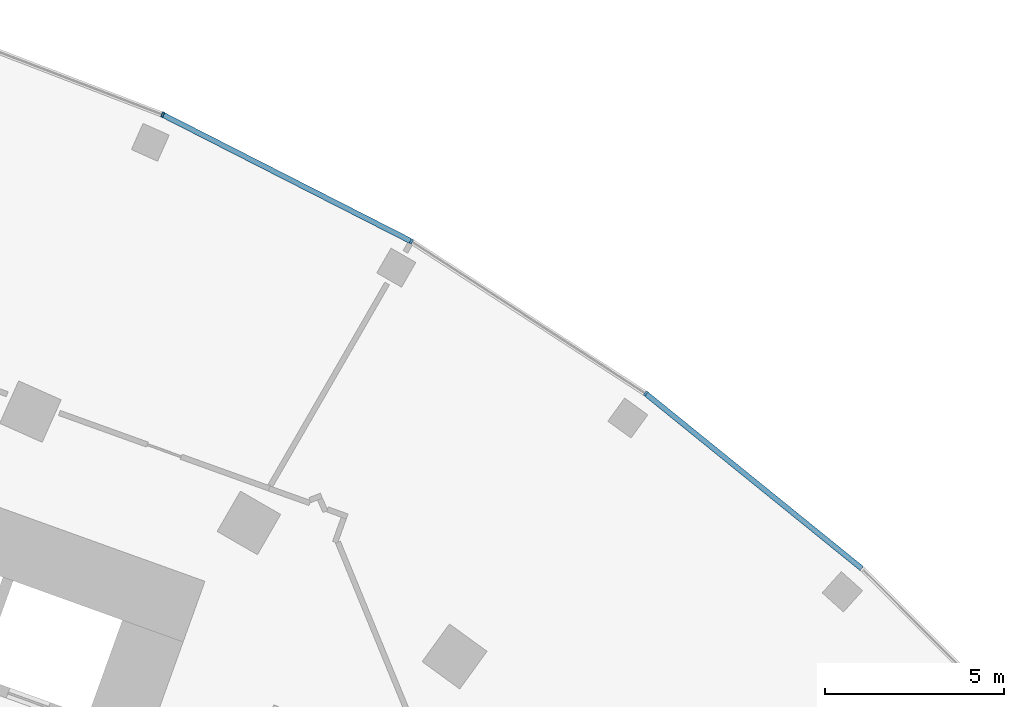
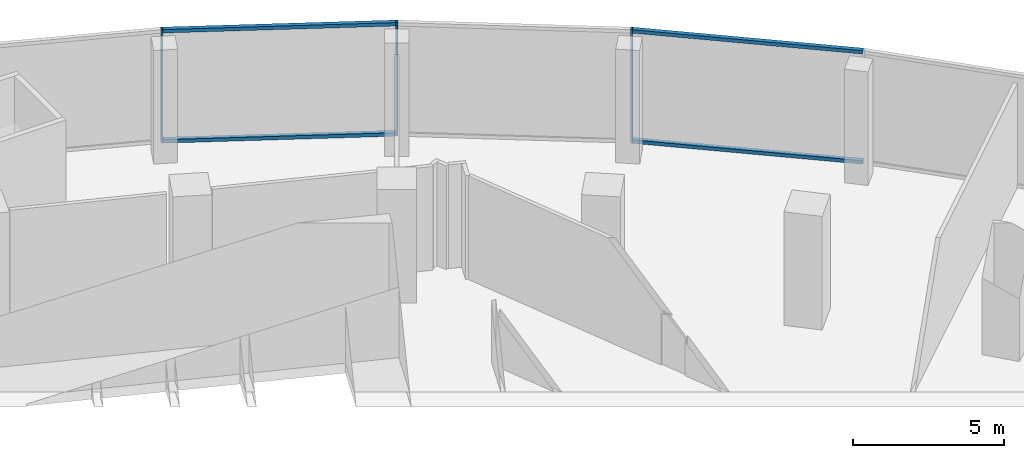
# One storey, part 13 of 40: 7 members, 1 element without a shape of its own.
"""IFC4 building model written with IfcOpenShell, lengths in metres."""

from ifc_helpers import new_model, si_unit, direction, frame, origin, origin_2d, place, context, subcontext, project, spatial, rectangle, extrude, material, layer, layer_set, material_profile, profile_set, type_object, element, aggregate, save


model = new_model("IFC4")

# Units and contexts
model_context = context("Model", 3, precision=1e-05, world=origin(), true_north=direction((0.0, 1.0)))
body_context = subcontext(model_context, "Body", "Model", "MODEL_VIEW")
ifc_project = project(units=[si_unit("LENGTHUNIT", "METRE"), si_unit("AREAUNIT", "SQUARE_METRE"), si_unit("VOLUMEUNIT", "CUBIC_METRE"), si_unit("PLANEANGLEUNIT", "RADIAN"), si_unit("MASSUNIT", "GRAM", prefix="KILO")], contexts=[model_context])

# Site, building, storey
site_placement = place(None, origin())
site = spatial("IfcSite", under=ifc_project, at=site_placement, CompositionType="ELEMENT")
building_placement = place(site_placement, origin())
building = spatial("IfcBuilding", under=site, at=building_placement, Name="Stone Belt Terrace Tower", CompositionType="ELEMENT")
storey_placement = place(building_placement, frame((0.0, 0.0, 11.60009765625)))
storey = spatial("IfcBuildingStorey", under=building, at=storey_placement, Name="L02", CompositionType="ELEMENT", Elevation=11.60009765625)

# Curtain wall, members
ifc_material = material(Name="Aluminium 6063-T6 anodised frame", Category="aluminium")
ifc_layer = layer(ifc_material, 0.14990234375)
ifc_layer_set = layer_set([ifc_layer], Name="CW-D podium shopfront")
curtain_wall_type = type_object("IfcCurtainWallType", Name="CW-D podium shopfront", PredefinedType="NOTDEFINED", material=ifc_layer_set)
curtain_wall_placement = place(storey_placement, origin())
curtain_wall = element("IfcCurtainWall", 1, at=curtain_wall_placement, inside=storey, type_object=curtain_wall_type, Name="CW-D convex face L02", PredefinedType="NOTDEFINED")
ifc_material_profile_1 = material_profile(ifc_material, rectangle(XDim=0.14990234375, YDim=0.06005859375, at=origin_2d()), Name="Aluminium 6063-T6 60x150")
ifc_profile_set_1 = profile_set([ifc_material_profile_1], Name="Aluminium 6063-T6 anodised frame")
member_type_1 = type_object("IfcMemberType", Name="CW-D mullion 60 x 150", PredefinedType="MULLION", material=ifc_profile_set_1)
member_1_placement = place(storey_placement, frame((43.834228515625, 60.33251953125, 0.0), z_axis=(0.0, 0.0, 1.0), x_axis=(-0.587785252292, -0.809016994375, 0.0)))
member_1 = element("IfcMember", 2, at=member_1_placement, type_object=member_type_1, Name="CW-D mullion 7", PredefinedType="MULLION", context=body_context, shape_type="SweptSolid", body=[
    extrude(rectangle(XDim=0.14990234375, YDim=0.06005859375, at=origin_2d()), origin(), (0.0, 0.0, 1.0), 4.599853515625),
])
member_2_placement = place(storey_placement, frame((37.28759765625, 64.583984375, 0.0), z_axis=(0.0, 0.0, 1.0), x_axis=(-0.5, -0.866025403784, 0.0)))
member_2 = element("IfcMember", 3, at=member_2_placement, type_object=member_type_1, Name="CW-D mullion 8", PredefinedType="MULLION", context=body_context, shape_type="SweptSolid", body=[
    extrude(rectangle(XDim=0.14990234375, YDim=0.06005859375, at=origin_2d()), origin(), (0.0, 0.0, 1.0), 4.599853515625),
])
member_3_placement = place(storey_placement, frame((30.33251953125, 68.127685546875, 0.0), z_axis=(0.0, 0.0, 1.0), x_axis=(-0.406736643076, -0.913545457643, 0.0)))
member_3 = element("IfcMember", 4, at=member_3_placement, type_object=member_type_1, Name="CW-D mullion 9", PredefinedType="MULLION", context=body_context, shape_type="SweptSolid", body=[
    extrude(rectangle(XDim=0.14990234375, YDim=0.06005859375, at=origin_2d()), origin(), (0.0, 0.0, 1.0), 4.599853515625),
])
ifc_material_profile_2 = material_profile(ifc_material, rectangle(XDim=0.14990234375, YDim=0.139892578125, at=origin_2d()), Name="Aluminium 6063-T6 150x140")
ifc_profile_set_2 = profile_set([ifc_material_profile_2], Name="Aluminium 6063-T6 anodised frame")
member_type_2 = type_object("IfcMemberType", Name="CW-D transom 140 x 150", PredefinedType="USERDEFINED", material=ifc_profile_set_2)
member_4_placement = place(storey_placement, frame((49.874267578125, 55.44140625, 0.06982421875), z_axis=(-0.777139794023, 0.62932800712, 0.0), x_axis=(-0.62932800712, -0.777139794023, 0.0)))
member_4 = element("IfcMember", 5, at=member_4_placement, type_object=member_type_2, Name="CW-D transom 6.1", ObjectType="TRANSOM", PredefinedType="USERDEFINED", context=body_context, shape_type="SweptSolid", body=[
    extrude(rectangle(XDim=0.14990234375, YDim=0.139892578125, at=origin_2d()), origin(), (0.0, 0.0, 1.0), 7.73828125),
])
member_5_placement = place(storey_placement, frame((49.874267578125, 55.44140625, 4.52978515625), z_axis=(-0.777139794023, 0.62932800712, 0.0), x_axis=(-0.62932800712, -0.777139794023, 0.0)))
member_5 = element("IfcMember", 6, at=member_5_placement, type_object=member_type_2, Name="CW-D transom 6.2", ObjectType="TRANSOM", PredefinedType="USERDEFINED", context=body_context, shape_type="SweptSolid", body=[
    extrude(rectangle(XDim=0.14990234375, YDim=0.139892578125, at=origin_2d()), origin(), (0.0, 0.0, 1.0), 7.73828125),
])
member_6_placement = place(storey_placement, frame((37.25732421875, 64.599365234375, 0.06982421875), z_axis=(-0.891013010183, 0.453977770034, 0.0), x_axis=(-0.453977770034, -0.891013010183, 0.0)))
member_6 = element("IfcMember", 7, at=member_6_placement, type_object=member_type_2, Name="CW-D transom 8.1", ObjectType="TRANSOM", PredefinedType="USERDEFINED", context=body_context, shape_type="SweptSolid", body=[
    extrude(rectangle(XDim=0.14990234375, YDim=0.139892578125, at=origin_2d()), origin(), (0.0, 0.0, 1.0), 7.738037109375),
])
member_7_placement = place(storey_placement, frame((37.25732421875, 64.599365234375, 4.52978515625), z_axis=(-0.891013010183, 0.453977770034, 0.0), x_axis=(-0.453977770034, -0.891013010183, 0.0)))
member_7 = element("IfcMember", 8, at=member_7_placement, type_object=member_type_2, Name="CW-D transom 8.2", ObjectType="TRANSOM", PredefinedType="USERDEFINED", context=body_context, shape_type="SweptSolid", body=[
    extrude(rectangle(XDim=0.14990234375, YDim=0.139892578125, at=origin_2d()), origin(), (0.0, 0.0, 1.0), 7.738037109375),
])
aggregate(curtain_wall, [member_1, member_2, member_3, member_4, member_5, member_6, member_7])

save(model, "model.ifc")
